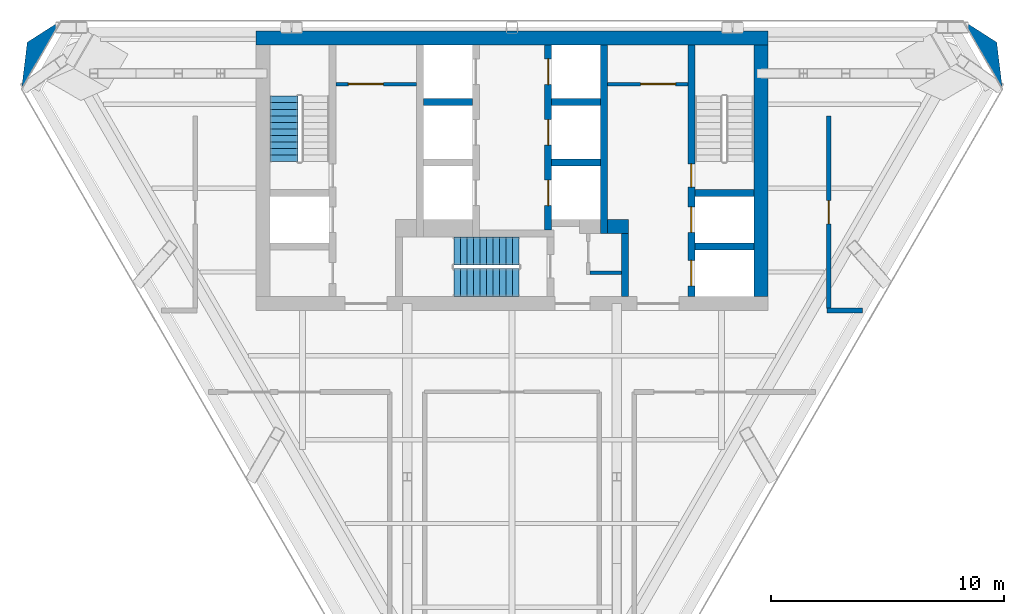
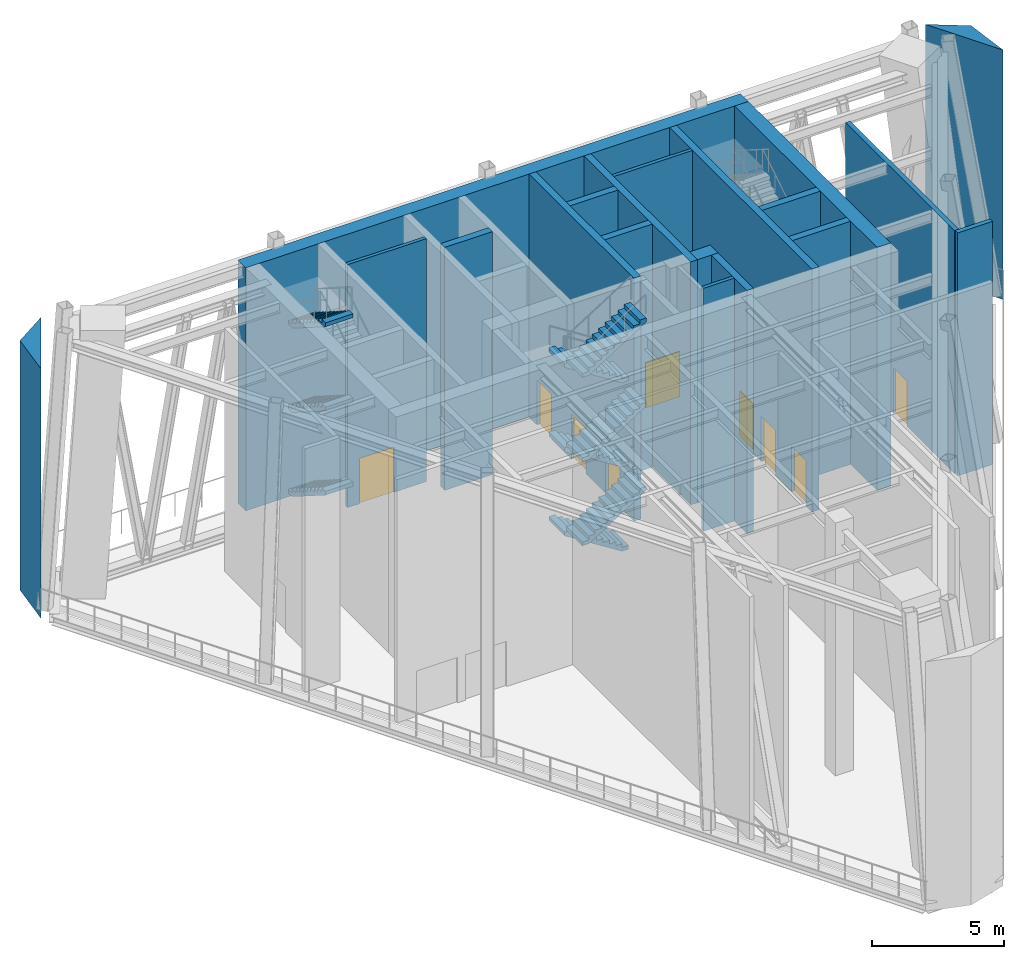
# One storey, part 4 of 11: 19 walls, 9 doors, 9 stair flights, 9 openings, 2 elements without a shape of their own.
"""IFC4 building model written with IfcOpenShell, lengths in metres."""

from ifc_helpers import new_model, si_unit, direction, frame, frame_2d, origin, place, context, subcontext, project, spatial, polyline, rectangle, outline, extrude, material, layer, layer_set, type_object, element, fill, aggregate, save


model = new_model("IFC4")

# Units and contexts
model_context = context("Model", 3, precision=1e-05, world=origin(), true_north=direction((0.0, 1.0)))
body_context = subcontext(model_context, "Body", "Model", "MODEL_VIEW")
ifc_project = project(units=[si_unit("LENGTHUNIT", "METRE"), si_unit("AREAUNIT", "SQUARE_METRE"), si_unit("VOLUMEUNIT", "CUBIC_METRE"), si_unit("PLANEANGLEUNIT", "RADIAN"), si_unit("MASSUNIT", "GRAM", prefix="KILO")], contexts=[model_context])

# Site, building, storey
site_placement = place(None, origin())
site = spatial("IfcSite", under=ifc_project, at=site_placement, CompositionType="ELEMENT")
building_placement = place(site_placement, origin())
building = spatial("IfcBuilding", under=site, at=building_placement, Name="Aloe Facet Convention Tower", CompositionType="ELEMENT")
storey_placement = place(building_placement, frame((0.0, 0.0, 227.0)))
storey = spatial("IfcBuildingStorey", under=building, at=storey_placement, Name="L57", CompositionType="ELEMENT", Elevation=227.0)

# Wall, opening, door
ifc_material_1 = material(Name="Concrete blockwork partition", Category="masonry")
ifc_layer_1 = layer(ifc_material_1, 0.14990234375)
ifc_layer_set_1 = layer_set([ifc_layer_1], Name="CR-W-PART150")
wall_type_1 = type_object("IfcWallType", Name="CR-W-PART150", PredefinedType="PARTITIONING", material=ifc_layer_set_1)
wall_1_placement = place(storey_placement, frame((72.449951171875, 132.27490234375, 0.0), z_axis=(0.0, 0.0, 1.0), x_axis=(1.0, 0.0, 0.0)))
wall_1 = element("IfcWall", 1, at=wall_1_placement, inside=storey, type_object=wall_type_1, Name="Core partition L57-007", PredefinedType="PARTITIONING", context=body_context, shape_type="SweptSolid", body=[
    extrude(rectangle(XDim=3.449951171875, YDim=0.14990234375, at=frame_2d((1.72509765625, 0.0))), origin(), (0.0, 0.0, 1.0), 11.25),
])
opening_1_placement = place(wall_1_placement, frame((0.52490234375, 0.0, 0.0)))
opening_1 = element("IfcOpeningElement", 2, at=opening_1_placement, cuts=wall_1, Name="Opening L57-CD14", PredefinedType="OPENING", context=body_context, shape_type="SweptSolid", body=[
    extrude(rectangle(XDim=1.5, YDim=2.10009765625, at=frame_2d((0.75, 1.050048828125))), frame((0.0, 0.0849609375, 0.0), z_axis=(0.0, -1.0, 0.0), x_axis=(1.0, 0.0, 0.0)), (0.0, 0.0, 1.0), 0.169921875),
])
ifc_material_2 = material(Name="Steel fire-resisting door set FD60", Category="steel")
door_type_1 = type_object("IfcDoorType", Name="CR-D-REFUGE-1500-FD60-DD", OperationType="DOUBLE_DOOR_DOUBLE_SWING", PredefinedType="DOOR", material=ifc_material_2)
door_1_placement = place(opening_1_placement, origin())
door_1 = element("IfcDoor", 3, at=door_1_placement, inside=storey, type_object=door_type_1, Name="Core door L57-CD14", OperationType="DOUBLE_DOOR_DOUBLE_SWING", OverallHeight=2.10009765625, OverallWidth=1.5, PredefinedType="DOOR", context=body_context, shape_type="SweptSolid", body=[
    extrude(rectangle(XDim=1.5, YDim=2.10009765625, at=frame_2d((0.75, 1.050048828125))), frame((0.0, 0.02490234375, 0.0), z_axis=(0.0, -1.0, 0.0), x_axis=(1.0, 0.0, 0.0)), (0.0, 0.0, 1.0), 0.050048828125),
])
fill(opening_1, door_1)

# Wall
wall_2_placement = place(storey_placement, frame((83.35009765625, 124.175048828125, 0.0), z_axis=(0.0, 0.0, 1.0), x_axis=(1.0, 0.0, 0.0)))
element("IfcWall", 4, at=wall_2_placement, inside=storey, type_object=wall_type_1, Name="Core partition L57-023", PredefinedType="PARTITIONING", context=body_context, shape_type="SweptSolid", body=[
    extrude(rectangle(XDim=1.349853515625, YDim=0.14990234375, at=frame_2d((0.6748046875, 0.0))), origin(), (0.0, 0.0, 1.0), 11.25),
])

# Wall, opening, door
wall_3_placement = place(storey_placement, frame((84.10009765625, 132.27490234375, 0.0), z_axis=(0.0, 0.0, 1.0), x_axis=(1.0, 0.0, 0.0)))
wall_3 = element("IfcWall", 5, at=wall_3_placement, inside=storey, type_object=wall_type_1, Name="Core partition L57-025", PredefinedType="PARTITIONING", context=body_context, shape_type="SweptSolid", body=[
    extrude(rectangle(XDim=3.449951171875, YDim=0.14990234375, at=frame_2d((1.72509765625, 0.0))), origin(), (0.0, 0.0, 1.0), 11.25),
])
opening_2_placement = place(wall_3_placement, frame((1.425048828125, 0.0, 0.0)))
opening_2 = element("IfcOpeningElement", 6, at=opening_2_placement, cuts=wall_3, Name="Opening L57-CD13", PredefinedType="OPENING", context=body_context, shape_type="SweptSolid", body=[
    extrude(rectangle(XDim=1.5, YDim=2.10009765625, at=frame_2d((0.75, 1.050048828125))), frame((0.0, 0.0849609375, 0.0), z_axis=(0.0, -1.0, 0.0), x_axis=(1.0, 0.0, 0.0)), (0.0, 0.0, 1.0), 0.169921875),
])
door_2_placement = place(opening_2_placement, origin())
door_2 = element("IfcDoor", 7, at=door_2_placement, inside=storey, type_object=door_type_1, Name="Core door L57-CD13", OperationType="DOUBLE_DOOR_DOUBLE_SWING", OverallHeight=2.10009765625, OverallWidth=1.5, PredefinedType="DOOR", context=body_context, shape_type="SweptSolid", body=[
    extrude(rectangle(XDim=1.5, YDim=2.10009765625, at=frame_2d((0.75, 1.050048828125))), frame((0.0, 0.02490234375, 0.0), z_axis=(0.0, -1.0, 0.0), x_axis=(1.0, 0.0, 0.0)), (0.0, 0.0, 1.0), 0.050048828125),
])
fill(opening_2, door_2)

# Wall
ifc_material_3 = material(Name="Concrete C50/60", Category="concrete")
ifc_layer_2 = layer(ifc_material_3, 0.300048828125)
ifc_layer_set_2 = layer_set([ifc_layer_2], Name="CR-W-RC300-C5060")
wall_type_2 = type_object("IfcWallType", Name="CR-W-RC300-C5060", PredefinedType="SOLIDWALL", material=ifc_layer_set_2)
wall_4_placement = place(storey_placement, frame((76.199951171875, 131.5, 0.0), z_axis=(0.0, 0.0, 1.0), x_axis=(1.0, 0.0, 0.0)))
element("IfcWall", 8, at=wall_4_placement, inside=storey, type_object=wall_type_2, Name="Core wall L57-011", PredefinedType="SOLIDWALL", context=body_context, shape_type="SweptSolid", body=[
    extrude(rectangle(XDim=2.10009765625, YDim=0.300048828125, at=frame_2d((1.050048828125, 0.0))), origin(), (0.0, 0.0, 1.0), 11.25),
])

# Wall, openings, doors
wall_5_placement = place(storey_placement, frame((81.550048828125, 133.949951171875, 0.0), z_axis=(0.0, 0.0, 1.0), x_axis=(0.0, -1.0, 0.0)))
wall_5 = element("IfcWall", 9, at=wall_5_placement, inside=storey, type_object=wall_type_2, Name="Core wall L57-016", PredefinedType="SOLIDWALL", context=body_context, shape_type="SweptSolid", body=[
    extrude(rectangle(XDim=7.949951171875, YDim=0.300048828125, at=frame_2d((3.97509765625, 0.0))), origin(), (0.0, 0.0, 1.0), 11.25),
])
opening_3_placement = place(wall_5_placement, frame((0.60009765625, 0.0, 0.0)))
opening_3 = element("IfcOpeningElement", 10, at=opening_3_placement, cuts=wall_5, Name="Opening LD-B4-L57", PredefinedType="OPENING", context=body_context, shape_type="SweptSolid", body=[
    extrude(rectangle(XDim=1.10009765625, YDim=2.10009765625, at=frame_2d((0.550048828125, 1.050048828125))), frame((0.0, 0.16015625, 0.0), z_axis=(0.0, -1.0, 0.0), x_axis=(1.0, 0.0, 0.0)), (0.0, 0.0, 1.0), 0.320068359375),
])
opening_4_placement = place(wall_5_placement, frame((3.199951171875, 0.0, 0.0)))
opening_4 = element("IfcOpeningElement", 11, at=opening_4_placement, cuts=wall_5, Name="Opening LD-B5-L57", PredefinedType="OPENING", context=body_context, shape_type="SweptSolid", body=[
    extrude(rectangle(XDim=1.10009765625, YDim=2.10009765625, at=frame_2d((0.550048828125, 1.050048828125))), frame((0.0, 0.16015625, 0.0), z_axis=(0.0, -1.0, 0.0), x_axis=(1.0, 0.0, 0.0)), (0.0, 0.0, 1.0), 0.320068359375),
])
opening_5_placement = place(wall_5_placement, frame((5.800048828125, 0.0, 0.0)))
opening_5 = element("IfcOpeningElement", 12, at=opening_5_placement, cuts=wall_5, Name="Opening LD-B6-L57", PredefinedType="OPENING", context=body_context, shape_type="SweptSolid", body=[
    extrude(rectangle(XDim=1.10009765625, YDim=2.10009765625, at=frame_2d((0.550048828125, 1.050048828125))), frame((0.0, 0.16015625, 0.0), z_axis=(0.0, -1.0, 0.0), x_axis=(1.0, 0.0, 0.0)), (0.0, 0.0, 1.0), 0.320068359375),
])
ifc_material_4 = material(Name="Stainless steel sliding landing door", Category="steel")
door_type_2 = type_object("IfcDoorType", Name="CR-LD-1100-FD60-_LEFT", OperationType="SLIDING_TO_LEFT", PredefinedType="DOOR", material=ifc_material_4)
door_3_placement = place(opening_3_placement, origin())
door_3 = element("IfcDoor", 13, at=door_3_placement, inside=storey, type_object=door_type_2, Name="Landing door B4 L57", OperationType="SLIDING_TO_LEFT", OverallHeight=2.10009765625, OverallWidth=1.10009765625, PredefinedType="DOOR", context=body_context, shape_type="SweptSolid", body=[
    extrude(rectangle(XDim=1.10009765625, YDim=2.10009765625, at=frame_2d((0.550048828125, 1.050048828125))), frame((0.0, 0.02490234375, 0.0), z_axis=(0.0, -1.0, 0.0), x_axis=(1.0, 0.0, 0.0)), (0.0, 0.0, 1.0), 0.050048828125),
])
fill(opening_3, door_3)
door_4_placement = place(opening_4_placement, origin())
door_4 = element("IfcDoor", 14, at=door_4_placement, inside=storey, type_object=door_type_2, Name="Landing door B5 L57", OperationType="SLIDING_TO_LEFT", OverallHeight=2.10009765625, OverallWidth=1.10009765625, PredefinedType="DOOR", context=body_context, shape_type="SweptSolid", body=[
    extrude(rectangle(XDim=1.10009765625, YDim=2.10009765625, at=frame_2d((0.550048828125, 1.050048828125))), frame((0.0, 0.02490234375, 0.0), z_axis=(0.0, -1.0, 0.0), x_axis=(1.0, 0.0, 0.0)), (0.0, 0.0, 1.0), 0.050048828125),
])
fill(opening_4, door_4)
door_5_placement = place(opening_5_placement, origin())
door_5 = element("IfcDoor", 15, at=door_5_placement, inside=storey, type_object=door_type_2, Name="Landing door B6 L57", OperationType="SLIDING_TO_LEFT", OverallHeight=2.10009765625, OverallWidth=1.10009765625, PredefinedType="DOOR", context=body_context, shape_type="SweptSolid", body=[
    extrude(rectangle(XDim=1.10009765625, YDim=2.10009765625, at=frame_2d((0.550048828125, 1.050048828125))), frame((0.0, 0.02490234375, 0.0), z_axis=(0.0, -1.0, 0.0), x_axis=(1.0, 0.0, 0.0)), (0.0, 0.0, 1.0), 0.050048828125),
])
fill(opening_5, door_5)

# Walls
for number, where, z_axis, x_axis, name in (
    (16, (81.699951171875, 131.5, 0.0), (0.0, 0.0, 1.0), (1.0, 0.0, 0.0), "Core wall L57-018"),
    (17, (81.699951171875, 128.89990234375, 0.0), (0.0, 0.0, 1.0), (1.0, 0.0, 0.0), "Core wall L57-019"),
):
    element("IfcWall", number, at=place(storey_placement, frame(where, z_axis=z_axis, x_axis=x_axis)), inside=storey, type_object=wall_type_2, Name=name, PredefinedType="SOLIDWALL", context=body_context, shape_type="SweptSolid", body=[
        extrude(rectangle(XDim=2.10009765625, YDim=0.300048828125, at=frame_2d((1.050048828125, 0.0))), origin(), (0.0, 0.0, 1.0), 11.25),
    ])
wall_6_placement = place(storey_placement, frame((83.949951171875, 133.949951171875, 0.0), z_axis=(0.0, 0.0, 1.0), x_axis=(0.0, -1.0, 0.0)))
element("IfcWall", 18, at=wall_6_placement, inside=storey, type_object=wall_type_2, Name="Core wall L57-024", PredefinedType="SOLIDWALL", context=body_context, shape_type="SweptSolid", body=[
    extrude(rectangle(XDim=8.099853515625, YDim=0.300048828125, at=frame_2d((4.0498046875, 0.0))), origin(), (0.0, 0.0, 1.0), 11.25),
])
wall_7_placement = place(storey_placement, frame((84.85009765625, 125.85009765625, 0.0), z_axis=(0.0, 0.0, 1.0), x_axis=(0.0, -1.0, 0.0)))
element("IfcWall", 19, at=wall_7_placement, inside=storey, type_object=wall_type_2, Name="Core wall L57-027", PredefinedType="SOLIDWALL", context=body_context, shape_type="SweptSolid", body=[
    extrude(rectangle(XDim=2.7001953125, YDim=0.300048828125, at=frame_2d((1.35009765625, 0.0))), origin(), (0.0, 0.0, 1.0), 11.25),
])

# Wall, openings, doors
wall_8_placement = place(storey_placement, frame((87.699951171875, 133.949951171875, 0.0), z_axis=(0.0, 0.0, 1.0), x_axis=(0.0, -1.0, 0.0)))
wall_8 = element("IfcWall", 20, at=wall_8_placement, inside=storey, type_object=wall_type_2, Name="Core wall L57-028", PredefinedType="SOLIDWALL", context=body_context, shape_type="SweptSolid", body=[
    extrude(rectangle(XDim=10.800048828125, YDim=0.300048828125, at=frame_2d((5.39990234375, 0.0))), origin(), (0.0, 0.0, 1.0), 11.25),
])
opening_6_placement = place(wall_8_placement, frame((6.949951171875, 0.0, 0.0)))
opening_6 = element("IfcOpeningElement", 21, at=opening_6_placement, cuts=wall_8, Name="Opening LD-FF2-L57", PredefinedType="OPENING", context=body_context, shape_type="SweptSolid", body=[
    extrude(rectangle(XDim=1.10009765625, YDim=2.10009765625, at=frame_2d((0.550048828125, 1.050048828125))), frame((0.0, 0.16015625, 0.0), z_axis=(0.0, -1.0, 0.0), x_axis=(1.0, 0.0, 0.0)), (0.0, 0.0, 1.0), 0.320068359375),
])
opening_7_placement = place(wall_8_placement, frame((5.10009765625, 0.0, 0.0)))
opening_7 = element("IfcOpeningElement", 22, at=opening_7_placement, cuts=wall_8, Name="Opening L57-CD17", PredefinedType="OPENING", context=body_context, shape_type="SweptSolid", body=[
    extrude(rectangle(XDim=1.0, YDim=2.10009765625, at=frame_2d((0.5, 1.050048828125))), frame((0.0, 0.16015625, 0.0), z_axis=(0.0, -1.0, 0.0), x_axis=(1.0, 0.0, 0.0)), (0.0, 0.0, 1.0), 0.320068359375),
])
opening_8_placement = place(wall_8_placement, frame((9.25, 0.0, 0.0)))
opening_8 = element("IfcOpeningElement", 23, at=opening_8_placement, cuts=wall_8, Name="Opening LD-SV1-L57", PredefinedType="OPENING", context=body_context, shape_type="SweptSolid", body=[
    extrude(rectangle(XDim=1.10009765625, YDim=2.10009765625, at=frame_2d((0.550048828125, 1.050048828125))), frame((0.0, 0.16015625, 0.0), z_axis=(0.0, -1.0, 0.0), x_axis=(1.0, 0.0, 0.0)), (0.0, 0.0, 1.0), 0.320068359375),
])
ifc_material_5 = material(Name="Steel fire-resisting door set FD120", Category="steel")
door_type_3 = type_object("IfcDoorType", Name="CR-D-STAIR-1000-FD120-SLEFT", OperationType="SINGLE_SWING_LEFT", PredefinedType="DOOR", material=ifc_material_5)
door_6_placement = place(opening_7_placement, origin())
door_6 = element("IfcDoor", 24, at=door_6_placement, inside=storey, type_object=door_type_3, Name="Core door L57-CD17", OperationType="SINGLE_SWING_LEFT", OverallHeight=2.10009765625, OverallWidth=1.0, PredefinedType="DOOR", context=body_context, shape_type="SweptSolid", body=[
    extrude(rectangle(XDim=1.0, YDim=2.10009765625, at=frame_2d((0.5, 1.050048828125))), frame((0.0, 0.02490234375, 0.0), z_axis=(0.0, -1.0, 0.0), x_axis=(1.0, 0.0, 0.0)), (0.0, 0.0, 1.0), 0.050048828125),
])
fill(opening_7, door_6)
ifc_material_6 = material(Name="Stainless steel sliding landing door", Category="steel")
door_type_4 = type_object("IfcDoorType", Name="CR-LD-1100-FD120-_LEFT", OperationType="SLIDING_TO_LEFT", PredefinedType="DOOR", material=ifc_material_6)
door_7_placement = place(opening_6_placement, origin())
door_7 = element("IfcDoor", 25, at=door_7_placement, inside=storey, type_object=door_type_4, Name="Landing door FF2 L57", OperationType="SLIDING_TO_LEFT", OverallHeight=2.10009765625, OverallWidth=1.10009765625, PredefinedType="DOOR", context=body_context, shape_type="SweptSolid", body=[
    extrude(rectangle(XDim=1.10009765625, YDim=2.10009765625, at=frame_2d((0.550048828125, 1.050048828125))), frame((0.0, 0.02490234375, 0.0), z_axis=(0.0, -1.0, 0.0), x_axis=(1.0, 0.0, 0.0)), (0.0, 0.0, 1.0), 0.050048828125),
])
fill(opening_6, door_7)
door_8_placement = place(opening_8_placement, origin())
door_8 = element("IfcDoor", 26, at=door_8_placement, inside=storey, type_object=door_type_4, Name="Landing door SV1 L57", OperationType="SLIDING_TO_LEFT", OverallHeight=2.10009765625, OverallWidth=1.10009765625, PredefinedType="DOOR", context=body_context, shape_type="SweptSolid", body=[
    extrude(rectangle(XDim=1.10009765625, YDim=2.10009765625, at=frame_2d((0.550048828125, 1.050048828125))), frame((0.0, 0.02490234375, 0.0), z_axis=(0.0, -1.0, 0.0), x_axis=(1.0, 0.0, 0.0)), (0.0, 0.0, 1.0), 0.050048828125),
])
fill(opening_8, door_8)

# Walls
for number, where, z_axis, x_axis, name in (
    (27, (87.85009765625, 127.60009765625, 0.0), (0.0, 0.0, 1.0), (1.0, 0.0, 0.0), "Core wall L57-029"),
    (28, (87.85009765625, 125.300048828125, 0.0), (0.0, 0.0, 1.0), (1.0, 0.0, 0.0), "Core wall L57-030"),
):
    element("IfcWall", number, at=place(storey_placement, frame(where, z_axis=z_axis, x_axis=x_axis)), inside=storey, type_object=wall_type_2, Name=name, PredefinedType="SOLIDWALL", context=body_context, shape_type="SweptSolid", body=[
        extrude(rectangle(XDim=2.5498046875, YDim=0.300048828125, at=frame_2d((1.27490234375, 0.0))), origin(), (0.0, 0.0, 1.0), 11.25),
    ])
ifc_material_7 = material(Name="Concrete C50/60", Category="concrete")
ifc_layer_3 = layer(ifc_material_7, 0.60009765625)
ifc_layer_set_3 = layer_set([ifc_layer_3], Name="CR-W-RC600-C5060")
wall_type_3 = type_object("IfcWallType", Name="CR-W-RC600-C5060", PredefinedType="SOLIDWALL", material=ifc_layer_set_3)
wall_9_placement = place(storey_placement, frame((69.0, 134.25, 0.0), z_axis=(0.0, 0.0, 1.0), x_axis=(1.0, 0.0, 0.0)))
element("IfcWall", 29, at=wall_9_placement, inside=storey, type_object=wall_type_3, Name="Core wall L57-001", PredefinedType="SOLIDWALL", context=body_context, shape_type="SweptSolid", body=[
    extrude(rectangle(XDim=22.0, YDim=0.60009765625, at=frame_2d((11.0, 0.0))), origin(), (0.0, 0.0, 1.0), 11.25),
])
wall_10_placement = place(storey_placement, frame((84.10009765625, 126.14990234375, 0.0), z_axis=(0.0, 0.0, 1.0), x_axis=(1.0, 0.0, 0.0)))
element("IfcWall", 30, at=wall_10_placement, inside=storey, type_object=wall_type_3, Name="Core wall L57-026", PredefinedType="SOLIDWALL", context=body_context, shape_type="SweptSolid", body=[
    extrude(rectangle(XDim=0.89990234375, YDim=0.60009765625, at=frame_2d((0.449951171875, 0.0))), origin(), (0.0, 0.0, 1.0), 11.25),
])
wall_11_placement = place(storey_placement, frame((90.699951171875, 133.949951171875, 0.0), z_axis=(0.0, 0.0, 1.0), x_axis=(0.0, -1.0, 0.0)))
element("IfcWall", 31, at=wall_11_placement, inside=storey, type_object=wall_type_3, Name="Core wall L57-031", PredefinedType="SOLIDWALL", context=body_context, shape_type="SweptSolid", body=[
    extrude(rectangle(XDim=10.800048828125, YDim=0.60009765625, at=frame_2d((5.39990234375, 0.0))), origin(), (0.0, 0.0, 1.0), 11.25),
])
ifc_material_8 = material(Name="Precast concrete C40/50", Category="concrete")
ifc_layer_4 = layer(ifc_material_8, 3.947998046875)
ifc_layer_set_4 = layer_set([ifc_layer_4], Name="EV-WALL-SPINE")
wall_type_4 = type_object("IfcWallType", Name="EV-WALL-SPINE", PredefinedType="SOLIDWALL", material=ifc_layer_set_4)
wall_12_placement = place(storey_placement, frame((0.0, 0.0, -0.300048828125)))
element("IfcWall", 32, at=wall_12_placement, inside=storey, type_object=wall_type_4, Name="SP-NW-L57", PredefinedType="SOLIDWALL", context=body_context, shape_type="SweptSolid", body=[
    extrude(outline(polyline([(60.635498046875, 135.0), (59.181884765625, 134.0673828125), (58.935302734375, 132.055419921875), (60.635498046875, 135.0)])), origin(), (0.0, 0.0, 1.0), 11.550048828125),
])
wall_13_placement = place(storey_placement, frame((0.0, 0.0, -0.300048828125)))
element("IfcWall", 33, at=wall_13_placement, inside=storey, type_object=wall_type_4, Name="SP-NE-L57", PredefinedType="SOLIDWALL", context=body_context, shape_type="SweptSolid", body=[
    extrude(outline(polyline([(101.064697265625, 132.055419921875), (100.818115234375, 134.0673828125), (99.364501953125, 135.0), (101.064697265625, 132.055419921875)])), origin(), (0.0, 0.0, 1.0), 11.550048828125),
])
ifc_material_9 = material(Name="Masonry blockwork wall, plastered", Category="masonry")
ifc_layer_5 = layer(ifc_material_9, 0.199951171875)
ifc_layer_set_5 = layer_set([ifc_layer_5], Name="IN-POD-W-PLANT")
wall_type_5 = type_object("IfcWallType", Name="IN-POD-W-PLANT", PredefinedType="PARTITIONING", material=ifc_layer_set_5)
wall_14_placement = place(storey_placement, frame((93.52490234375, 122.550048828125, 0.0), z_axis=(0.0, 0.0, 1.0), x_axis=(1.0, 0.0, 0.0)))
element("IfcWall", 34, at=wall_14_placement, inside=storey, type_object=wall_type_5, Name="Partition L57-W006", PredefinedType="PARTITIONING", context=body_context, shape_type="SweptSolid", body=[
    extrude(rectangle(XDim=1.531982421875, YDim=0.199951171875, at=frame_2d((0.76611328125, 0.0))), origin(), (0.0, 0.0, 1.0), 11.25),
])

# Wall, opening, door
wall_15_placement = place(storey_placement, frame((93.60009765625, 122.635009765625, 0.0), z_axis=(0.0, 0.0, 1.0), x_axis=(0.0, 1.0, 0.0)))
wall_15 = element("IfcWall", 35, at=wall_15_placement, inside=storey, type_object=wall_type_5, Name="Partition L57-W007", PredefinedType="PARTITIONING", context=body_context, shape_type="SweptSolid", body=[
    extrude(rectangle(XDim=8.264892578125, YDim=0.199951171875, at=frame_2d((4.13232421875, 0.0))), origin(), (0.0, 0.0, 1.0), 11.25),
])
opening_9_placement = place(wall_15_placement, frame((3.632568359375, 0.0, 0.0)))
opening_9 = element("IfcOpeningElement", 36, at=opening_9_placement, cuts=wall_15, Name="Opening L57-002", PredefinedType="OPENING", context=body_context, shape_type="SweptSolid", body=[
    extrude(rectangle(XDim=1.0, YDim=2.10009765625, at=frame_2d((0.5, 1.050048828125))), frame((0.0, 0.10986328125, 0.0), z_axis=(0.0, -1.0, 0.0), x_axis=(1.0, 0.0, 0.0)), (0.0, 0.0, 1.0), 0.219970703125),
])
ifc_material_10 = material(Name="Steel flush door, galvanised", Category="steel")
door_type_5 = type_object("IfcDoorType", Name="IN-POD-D-PLANT", OperationType="SINGLE_SWING_LEFT", PredefinedType="DOOR", material=ifc_material_10)
door_9_placement = place(opening_9_placement, origin())
door_9 = element("IfcDoor", 37, at=door_9_placement, inside=storey, type_object=door_type_5, Name="Door L57-002", OperationType="SINGLE_SWING_LEFT", OverallHeight=2.10009765625, OverallWidth=1.0, PredefinedType="DOOR", context=body_context, shape_type="SweptSolid", body=[
    extrude(rectangle(XDim=1.0, YDim=2.10009765625, at=frame_2d((0.5, 1.050048828125))), frame((0.0, 0.02490234375, 0.0), z_axis=(0.0, -1.0, 0.0), x_axis=(1.0, 0.0, 0.0)), (0.0, 0.0, 1.0), 0.050048828125),
])
fill(opening_9, door_9)

# Stair, stair flights
ifc_material_11 = material(Name="Concrete C50/60", Category="concrete")
stair_type = type_object("IfcStairType", Name="CR-ST-66R", PredefinedType="HALF_TURN_STAIR", material=ifc_material_11)
stair_1_placement = place(storey_placement, origin())
stair_1 = element("IfcStair", 38, at=stair_1_placement, inside=storey, type_object=stair_type, Name="L57 Protected exit stair ST1", PredefinedType="HALF_TURN_STAIR")
ifc_material_12 = material(Name="Concrete C50/60", Category="concrete")
stair_flight_type = type_object("IfcStairFlightType", Name="CR-SFL-66R", PredefinedType="STRAIGHT", material=ifc_material_12)
stair_flight_1_placement = place(storey_placement, frame((70.199951171875, 131.75, 1.949951171875), z_axis=(0.0, 0.0, 1.0), x_axis=(0.0, -1.0, 0.0)))
stair_flight_1 = element("IfcStairFlight", 39, at=stair_flight_1_placement, type_object=stair_flight_type, Name="ST1 flight 2", NumberOfRisers=11, NumberOfTreads=10, PredefinedType="STRAIGHT", RiserHeight=0.177272727, TreadLength=0.28, context=body_context, shape_type="SweptSolid", body=[
    extrude(outline(polyline([(0.0, 0.0), (0.0, 0.17724609375), (0.280029296875, 0.17724609375), (0.280029296875, 0.3544921875), (0.56005859375, 0.3544921875), (0.56005859375, 0.53173828125), (0.840087890625, 0.53173828125), (0.840087890625, 0.708984375), (1.1201171875, 0.708984375), (1.1201171875, 0.886474609375), (1.39990234375, 0.886474609375), (1.39990234375, 1.063720703125), (1.679931640625, 1.063720703125), (1.679931640625, 1.240966796875), (1.9599609375, 1.240966796875), (1.9599609375, 1.418212890625), (2.239990234375, 1.418212890625), (2.239990234375, 1.595458984375), (2.52001953125, 1.595458984375), (2.52001953125, 1.772705078125), (2.800048828125, 1.772705078125), (2.800048828125, 1.949951171875), (2.800048828125, 1.59521484375), (0.2802734375, 0.0), (0.0, 0.0)])), frame((0.0, 0.60009765625, 0.0), z_axis=(0.0, -1.0, 0.0), x_axis=(1.0, 0.0, 0.0)), (0.0, 0.0, 1.0), 1.199951171875),
])
stair_flight_2_placement = place(storey_placement, frame((70.199951171875, 131.75, 5.85009765625), z_axis=(0.0, 0.0, 1.0), x_axis=(0.0, -1.0, 0.0)))
stair_flight_2 = element("IfcStairFlight", 40, at=stair_flight_2_placement, type_object=stair_flight_type, Name="ST1 flight 4", NumberOfRisers=11, NumberOfTreads=10, PredefinedType="STRAIGHT", RiserHeight=0.177272727, TreadLength=0.28, context=body_context, shape_type="SweptSolid", body=[
    extrude(outline(polyline([(0.0, 0.0), (0.0, 0.17724609375), (0.280029296875, 0.17724609375), (0.280029296875, 0.3544921875), (0.56005859375, 0.3544921875), (0.56005859375, 0.53173828125), (0.840087890625, 0.53173828125), (0.840087890625, 0.708984375), (1.1201171875, 0.708984375), (1.1201171875, 0.886474609375), (1.39990234375, 0.886474609375), (1.39990234375, 1.063720703125), (1.679931640625, 1.063720703125), (1.679931640625, 1.240966796875), (1.9599609375, 1.240966796875), (1.9599609375, 1.418212890625), (2.239990234375, 1.418212890625), (2.239990234375, 1.595458984375), (2.52001953125, 1.595458984375), (2.52001953125, 1.772705078125), (2.800048828125, 1.772705078125), (2.800048828125, 1.949951171875), (2.800048828125, 1.59521484375), (0.2802734375, 0.0), (0.0, 0.0)])), frame((0.0, 0.60009765625, 0.0), z_axis=(0.0, -1.0, 0.0), x_axis=(1.0, 0.0, 0.0)), (0.0, 0.0, 1.0), 1.199951171875),
])
stair_flight_3_placement = place(storey_placement, frame((70.199951171875, 131.75, 9.75), z_axis=(0.0, 0.0, 1.0), x_axis=(0.0, -1.0, 0.0)))
stair_flight_3 = element("IfcStairFlight", 41, at=stair_flight_3_placement, type_object=stair_flight_type, Name="ST1 flight 6", NumberOfRisers=11, NumberOfTreads=10, PredefinedType="STRAIGHT", RiserHeight=0.177272727, TreadLength=0.28, context=body_context, shape_type="SweptSolid", body=[
    extrude(outline(polyline([(0.0, 0.0), (0.0, 0.17724609375), (0.280029296875, 0.17724609375), (0.280029296875, 0.3544921875), (0.56005859375, 0.3544921875), (0.56005859375, 0.53173828125), (0.840087890625, 0.53173828125), (0.840087890625, 0.708984375), (1.1201171875, 0.708984375), (1.1201171875, 0.886474609375), (1.39990234375, 0.886474609375), (1.39990234375, 1.063720703125), (1.679931640625, 1.063720703125), (1.679931640625, 1.240966796875), (1.9599609375, 1.240966796875), (1.9599609375, 1.418212890625), (2.239990234375, 1.418212890625), (2.239990234375, 1.595458984375), (2.52001953125, 1.595458984375), (2.52001953125, 1.772705078125), (2.800048828125, 1.772705078125), (2.800048828125, 1.949951171875), (2.800048828125, 1.59521484375), (0.2802734375, 0.0), (0.0, 0.0)])), frame((0.0, 0.60009765625, 0.0), z_axis=(0.0, -1.0, 0.0), x_axis=(1.0, 0.0, 0.0)), (0.0, 0.0, 1.0), 1.199951171875),
])
aggregate(stair_1, [stair_flight_1, stair_flight_2, stair_flight_3])

stair_2_placement = place(storey_placement, origin())
stair_2 = element("IfcStair", 42, at=stair_2_placement, inside=storey, type_object=stair_type, Name="L57 Protected exit stair ST3", PredefinedType="HALF_TURN_STAIR")
stair_flight_4_placement = place(storey_placement, frame((80.300048828125, 125.10009765625, 0.0), z_axis=(0.0, 0.0, 1.0), x_axis=(-1.0, 0.0, 0.0)))
stair_flight_4 = element("IfcStairFlight", 43, at=stair_flight_4_placement, type_object=stair_flight_type, Name="ST3 flight 1", NumberOfRisers=11, NumberOfTreads=10, PredefinedType="STRAIGHT", RiserHeight=0.177272727, TreadLength=0.28, context=body_context, shape_type="SweptSolid", body=[
    extrude(outline(polyline([(0.0, 0.0), (0.0, 0.17724609375), (0.280029296875, 0.17724609375), (0.280029296875, 0.3544921875), (0.56005859375, 0.3544921875), (0.56005859375, 0.53173828125), (0.840087890625, 0.53173828125), (0.840087890625, 0.708984375), (1.1201171875, 0.708984375), (1.1201171875, 0.886474609375), (1.39990234375, 0.886474609375), (1.39990234375, 1.063720703125), (1.679931640625, 1.063720703125), (1.679931640625, 1.240966796875), (1.9599609375, 1.240966796875), (1.9599609375, 1.418212890625), (2.239990234375, 1.418212890625), (2.239990234375, 1.595458984375), (2.52001953125, 1.595458984375), (2.52001953125, 1.772705078125), (2.800048828125, 1.772705078125), (2.800048828125, 1.949951171875), (2.800048828125, 1.59521484375), (0.2802734375, 0.0), (0.0, 0.0)])), frame((0.0, 0.60009765625, 0.0), z_axis=(0.0, -1.0, 0.0), x_axis=(1.0, 0.0, 0.0)), (0.0, 0.0, 1.0), 1.199951171875),
])
stair_flight_5_placement = place(storey_placement, frame((77.5, 123.75, 1.949951171875), z_axis=(0.0, 0.0, 1.0), x_axis=(1.0, 0.0, 0.0)))
stair_flight_5 = element("IfcStairFlight", 44, at=stair_flight_5_placement, type_object=stair_flight_type, Name="ST3 flight 2", NumberOfRisers=11, NumberOfTreads=10, PredefinedType="STRAIGHT", RiserHeight=0.177272727, TreadLength=0.28, context=body_context, shape_type="SweptSolid", body=[
    extrude(outline(polyline([(0.0, 0.0), (0.0, 0.17724609375), (0.280029296875, 0.17724609375), (0.280029296875, 0.3544921875), (0.56005859375, 0.3544921875), (0.56005859375, 0.53173828125), (0.840087890625, 0.53173828125), (0.840087890625, 0.708984375), (1.1201171875, 0.708984375), (1.1201171875, 0.886474609375), (1.39990234375, 0.886474609375), (1.39990234375, 1.063720703125), (1.679931640625, 1.063720703125), (1.679931640625, 1.240966796875), (1.9599609375, 1.240966796875), (1.9599609375, 1.418212890625), (2.239990234375, 1.418212890625), (2.239990234375, 1.595458984375), (2.52001953125, 1.595458984375), (2.52001953125, 1.772705078125), (2.800048828125, 1.772705078125), (2.800048828125, 1.949951171875), (2.800048828125, 1.59521484375), (0.2802734375, 0.0), (0.0, 0.0)])), frame((0.0, 0.60009765625, 0.0), z_axis=(0.0, -1.0, 0.0), x_axis=(1.0, 0.0, 0.0)), (0.0, 0.0, 1.0), 1.199951171875),
])
stair_flight_6_placement = place(storey_placement, frame((80.300048828125, 125.10009765625, 3.89990234375), z_axis=(0.0, 0.0, 1.0), x_axis=(-1.0, 0.0, 0.0)))
stair_flight_6 = element("IfcStairFlight", 45, at=stair_flight_6_placement, type_object=stair_flight_type, Name="ST3 flight 3", NumberOfRisers=11, NumberOfTreads=10, PredefinedType="STRAIGHT", RiserHeight=0.177272727, TreadLength=0.28, context=body_context, shape_type="SweptSolid", body=[
    extrude(outline(polyline([(0.0, 0.0), (0.0, 0.17724609375), (0.280029296875, 0.17724609375), (0.280029296875, 0.3544921875), (0.56005859375, 0.3544921875), (0.56005859375, 0.53173828125), (0.840087890625, 0.53173828125), (0.840087890625, 0.708984375), (1.1201171875, 0.708984375), (1.1201171875, 0.886474609375), (1.39990234375, 0.886474609375), (1.39990234375, 1.063720703125), (1.679931640625, 1.063720703125), (1.679931640625, 1.240966796875), (1.9599609375, 1.240966796875), (1.9599609375, 1.418212890625), (2.239990234375, 1.418212890625), (2.239990234375, 1.595458984375), (2.52001953125, 1.595458984375), (2.52001953125, 1.772705078125), (2.800048828125, 1.772705078125), (2.800048828125, 1.949951171875), (2.800048828125, 1.59521484375), (0.2802734375, 0.0), (0.0, 0.0)])), frame((0.0, 0.60009765625, 0.0), z_axis=(0.0, -1.0, 0.0), x_axis=(1.0, 0.0, 0.0)), (0.0, 0.0, 1.0), 1.199951171875),
])
stair_flight_7_placement = place(storey_placement, frame((77.5, 123.75, 5.85009765625), z_axis=(0.0, 0.0, 1.0), x_axis=(1.0, 0.0, 0.0)))
stair_flight_7 = element("IfcStairFlight", 46, at=stair_flight_7_placement, type_object=stair_flight_type, Name="ST3 flight 4", NumberOfRisers=11, NumberOfTreads=10, PredefinedType="STRAIGHT", RiserHeight=0.177272727, TreadLength=0.28, context=body_context, shape_type="SweptSolid", body=[
    extrude(outline(polyline([(0.0, 0.0), (0.0, 0.17724609375), (0.280029296875, 0.17724609375), (0.280029296875, 0.3544921875), (0.56005859375, 0.3544921875), (0.56005859375, 0.53173828125), (0.840087890625, 0.53173828125), (0.840087890625, 0.708984375), (1.1201171875, 0.708984375), (1.1201171875, 0.886474609375), (1.39990234375, 0.886474609375), (1.39990234375, 1.063720703125), (1.679931640625, 1.063720703125), (1.679931640625, 1.240966796875), (1.9599609375, 1.240966796875), (1.9599609375, 1.418212890625), (2.239990234375, 1.418212890625), (2.239990234375, 1.595458984375), (2.52001953125, 1.595458984375), (2.52001953125, 1.772705078125), (2.800048828125, 1.772705078125), (2.800048828125, 1.949951171875), (2.800048828125, 1.59521484375), (0.2802734375, 0.0), (0.0, 0.0)])), frame((0.0, 0.60009765625, 0.0), z_axis=(0.0, -1.0, 0.0), x_axis=(1.0, 0.0, 0.0)), (0.0, 0.0, 1.0), 1.199951171875),
])
stair_flight_8_placement = place(storey_placement, frame((80.300048828125, 125.10009765625, 7.800048828125), z_axis=(0.0, 0.0, 1.0), x_axis=(-1.0, 0.0, 0.0)))
stair_flight_8 = element("IfcStairFlight", 47, at=stair_flight_8_placement, type_object=stair_flight_type, Name="ST3 flight 5", NumberOfRisers=11, NumberOfTreads=10, PredefinedType="STRAIGHT", RiserHeight=0.177272727, TreadLength=0.28, context=body_context, shape_type="SweptSolid", body=[
    extrude(outline(polyline([(0.0, 0.0), (0.0, 0.17724609375), (0.280029296875, 0.17724609375), (0.280029296875, 0.3544921875), (0.56005859375, 0.3544921875), (0.56005859375, 0.53173828125), (0.840087890625, 0.53173828125), (0.840087890625, 0.708984375), (1.1201171875, 0.708984375), (1.1201171875, 0.886474609375), (1.39990234375, 0.886474609375), (1.39990234375, 1.063720703125), (1.679931640625, 1.063720703125), (1.679931640625, 1.240966796875), (1.9599609375, 1.240966796875), (1.9599609375, 1.418212890625), (2.239990234375, 1.418212890625), (2.239990234375, 1.595458984375), (2.52001953125, 1.595458984375), (2.52001953125, 1.772705078125), (2.800048828125, 1.772705078125), (2.800048828125, 1.949951171875), (2.800048828125, 1.59521484375), (0.2802734375, 0.0), (0.0, 0.0)])), frame((0.0, 0.60009765625, 0.0), z_axis=(0.0, -1.0, 0.0), x_axis=(1.0, 0.0, 0.0)), (0.0, 0.0, 1.0), 1.199951171875),
])
stair_flight_9_placement = place(storey_placement, frame((77.5, 123.75, 9.75), z_axis=(0.0, 0.0, 1.0), x_axis=(1.0, 0.0, 0.0)))
stair_flight_9 = element("IfcStairFlight", 48, at=stair_flight_9_placement, type_object=stair_flight_type, Name="ST3 flight 6", NumberOfRisers=11, NumberOfTreads=10, PredefinedType="STRAIGHT", RiserHeight=0.177272727, TreadLength=0.28, context=body_context, shape_type="SweptSolid", body=[
    extrude(outline(polyline([(0.0, 0.0), (0.0, 0.17724609375), (0.280029296875, 0.17724609375), (0.280029296875, 0.3544921875), (0.56005859375, 0.3544921875), (0.56005859375, 0.53173828125), (0.840087890625, 0.53173828125), (0.840087890625, 0.708984375), (1.1201171875, 0.708984375), (1.1201171875, 0.886474609375), (1.39990234375, 0.886474609375), (1.39990234375, 1.063720703125), (1.679931640625, 1.063720703125), (1.679931640625, 1.240966796875), (1.9599609375, 1.240966796875), (1.9599609375, 1.418212890625), (2.239990234375, 1.418212890625), (2.239990234375, 1.595458984375), (2.52001953125, 1.595458984375), (2.52001953125, 1.772705078125), (2.800048828125, 1.772705078125), (2.800048828125, 1.949951171875), (2.800048828125, 1.59521484375), (0.2802734375, 0.0), (0.0, 0.0)])), frame((0.0, 0.60009765625, 0.0), z_axis=(0.0, -1.0, 0.0), x_axis=(1.0, 0.0, 0.0)), (0.0, 0.0, 1.0), 1.199951171875),
])
aggregate(stair_2, [stair_flight_4, stair_flight_5, stair_flight_6, stair_flight_7, stair_flight_8, stair_flight_9])

save(model, "model.ifc")
